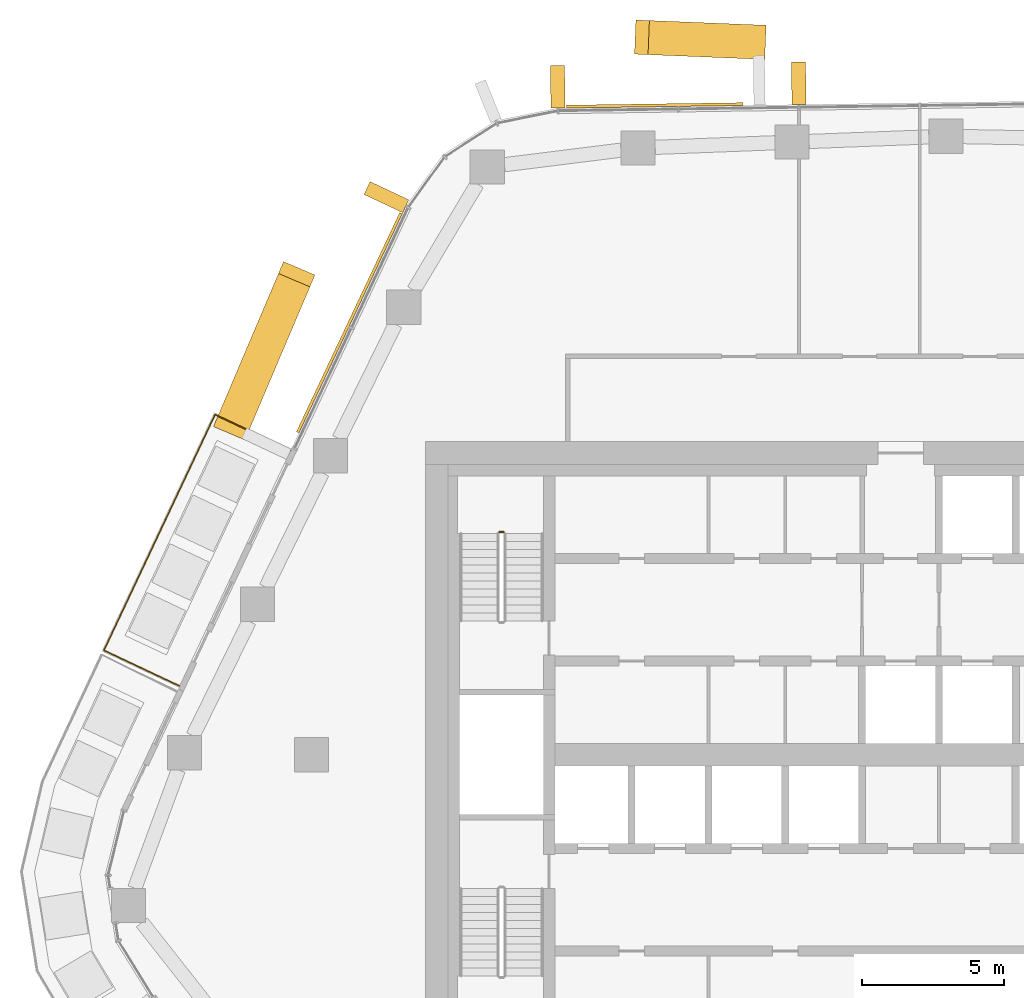
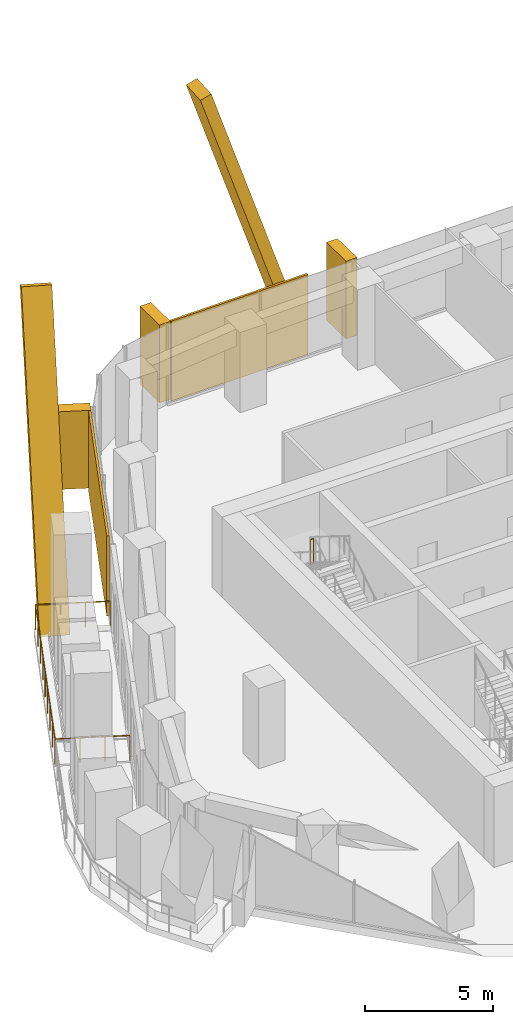
# One storey, part 17 of 18: 7 coverings, 2 railings, 2 elements without a shape of their own.
"""IFC4 building model written with IfcOpenShell, lengths in metres."""

from ifc_helpers import new_model, si_unit, direction, frame, origin, origin_2d, place, context, subcontext, project, spatial, rectangle, circle, extrude, material, layer, layer_set, material_profile, profile_set, type_object, element, aggregate, save


model = new_model("IFC4")

# Units and contexts
model_context = context("Model", 3, precision=1e-05, world=origin(), true_north=direction((0.0, 1.0)))
body_context = subcontext(model_context, "Body", "Model", "MODEL_VIEW")
ifc_project = project(units=[si_unit("LENGTHUNIT", "METRE"), si_unit("AREAUNIT", "SQUARE_METRE"), si_unit("VOLUMEUNIT", "CUBIC_METRE"), si_unit("PLANEANGLEUNIT", "RADIAN"), si_unit("MASSUNIT", "GRAM", prefix="KILO")], contexts=[model_context])

# Site, building, storey
site_placement = place(None, origin())
site = spatial("IfcSite", under=ifc_project, at=site_placement, CompositionType="ELEMENT")
building_placement = place(site_placement, origin())
building = spatial("IfcBuilding", under=site, at=building_placement, Name="Dongbaek Canopy Tower", CompositionType="ELEMENT")
storey_placement = place(building_placement, frame((0.0, 0.0, 167.0)))
storey = spatial("IfcBuildingStorey", under=building, at=storey_placement, Name="L36", CompositionType="ELEMENT", Elevation=167.0)

# Railing
ifc_material_1 = material(Name="Stainless steel", Category="steel")
railing_type_1 = type_object("IfcRailingType", Name="Balcony balustrade 1200", PredefinedType="BALUSTRADE", material=ifc_material_1)
railing_1_placement = place(storey_placement, frame((-18.732666015625, 10.700439453125, 0.0)))
element("IfcRailing", 1, at=railing_1_placement, inside=storey, type_object=railing_type_1, Name="Balcony guard L36 1", PredefinedType="BALUSTRADE", context=body_context, shape_type="SweptSolid", body=[
    extrude(circle(Radius=0.02392578125, at=origin_2d()), frame((0.0, 0.0, 1.17578125), z_axis=(-0.90463040543, 0.426196937544, 0.0), x_axis=(-0.426196937544, -0.90463040543, 0.0)), (0.0, 0.0, 1.0), 2.939697265625),
    extrude(circle(Radius=0.02392578125, at=origin_2d()), frame((-2.659423828125, 1.2529296875, 1.17578125), z_axis=(-0.426229519142, -0.904615054602, 0.0), x_axis=(0.904615054602, -0.426229519142, 0.0)), (0.0, 0.0, 1.0), 9.16064453125),
    extrude(circle(Radius=0.02392578125, at=origin_2d()), frame((-6.56396484375, -7.033935546875, 1.17578125), z_axis=(0.904613472743, -0.426232876408, 0.0), x_axis=(0.426232876408, 0.904613472743, 0.0)), (0.0, 0.0, 1.0), 2.940185546875),
    extrude(circle(Radius=0.02099609375, at=origin_2d()), origin(), (0.0, 0.0, 1.0), 1.15185546875),
    extrude(circle(Radius=0.02099609375, at=origin_2d()), frame((-0.886474609375, 0.417724609375, 0.0)), (0.0, 0.0, 1.0), 1.15185546875),
    extrude(circle(Radius=0.02099609375, at=origin_2d()), frame((-1.77294921875, 0.835205078125, 0.0)), (0.0, 0.0, 1.0), 1.15185546875),
    extrude(circle(Radius=0.02099609375, at=origin_2d()), frame((-2.659423828125, 1.2529296875, 0.0)), (0.0, 0.0, 1.0), 1.15185546875),
    extrude(circle(Radius=0.02099609375, at=origin_2d()), frame((-3.1474609375, 0.217041015625, 0.0)), (0.0, 0.0, 1.0), 1.15185546875),
    extrude(circle(Radius=0.02099609375, at=origin_2d()), frame((-3.635498046875, -0.81884765625, 0.0)), (0.0, 0.0, 1.0), 1.15185546875),
    extrude(circle(Radius=0.02099609375, at=origin_2d()), frame((-4.12353515625, -1.854736328125, 0.0)), (0.0, 0.0, 1.0), 1.15185546875),
    extrude(circle(Radius=0.02099609375, at=origin_2d()), frame((-4.61181640625, -2.890625, 0.0)), (0.0, 0.0, 1.0), 1.15185546875),
    extrude(circle(Radius=0.02099609375, at=origin_2d()), frame((-5.099853515625, -3.92626953125, 0.0)), (0.0, 0.0, 1.0), 1.15185546875),
    extrude(circle(Radius=0.02099609375, at=origin_2d()), frame((-5.587890625, -4.962158203125, 0.0)), (0.0, 0.0, 1.0), 1.15185546875),
    extrude(circle(Radius=0.02099609375, at=origin_2d()), frame((-6.075927734375, -5.998046875, 0.0)), (0.0, 0.0, 1.0), 1.15185546875),
    extrude(circle(Radius=0.02099609375, at=origin_2d()), frame((-6.56396484375, -7.033935546875, 0.0)), (0.0, 0.0, 1.0), 1.15185546875),
    extrude(circle(Radius=0.02099609375, at=origin_2d()), frame((-5.677490234375, -7.45166015625, 0.0)), (0.0, 0.0, 1.0), 1.15185546875),
    extrude(circle(Radius=0.02099609375, at=origin_2d()), frame((-4.790771484375, -7.869384765625, 0.0)), (0.0, 0.0, 1.0), 1.15185546875),
    extrude(circle(Radius=0.02099609375, at=origin_2d()), frame((-3.904296875, -8.287109375, 0.0)), (0.0, 0.0, 1.0), 1.15185546875),
])

# Curtain wall, covering
ifc_material_2 = material(Name="Aluminium 6063-T6 pale anodised", Category="aluminium")
ifc_layer_1 = layer(ifc_material_2, 0.199951171875)
ifc_layer_set_1 = layer_set([ifc_layer_1], Name="CW-1 unitised tower curtain wall")
curtain_wall_type = type_object("IfcCurtainWallType", Name="CW-1 unitised tower curtain wall", PredefinedType="NOTDEFINED", material=ifc_layer_set_1)
curtain_wall_1_placement = place(storey_placement, origin())
curtain_wall_1 = element("IfcCurtainWall", 2, at=curtain_wall_1_placement, inside=storey, type_object=curtain_wall_type, Name="CW-1 curtain wall F1.1", PredefinedType="NOTDEFINED")
ifc_material_3 = material(Name="Aluminium 6063-T6 pale metal fin", Category="aluminium")
ifc_material_profile_1 = material_profile(ifc_material_3, rectangle(XDim=1.199951171875, YDim=0.5, at=origin_2d()), Name="Crease fin CF1 500 x 1200 pale metal")
ifc_profile_set_1 = profile_set([ifc_material_profile_1], Name="Aluminium 6063-T6 pale metal fin")
covering_type_1 = type_object("IfcCoveringType", Name="Crease fin CF1 500 x 1200 pale metal", PredefinedType="CLADDING", material=ifc_profile_set_1)
covering_1_placement = place(storey_placement, frame((-2.284912109375, 25.04736328125, -0.18994140625), z_axis=(-0.309579715114, 0.012490778794, 0.950791449496), x_axis=(-0.040314734989, -0.999187030612, 0.0)))
covering_1 = element("IfcCovering", 3, at=covering_1_placement, type_object=covering_type_1, Name="Crease fin L36 L39 F1", PredefinedType="CLADDING", context=body_context, shape_type="SweptSolid", body=[
    extrude(rectangle(XDim=1.199951171875, YDim=0.5, at=origin_2d()), origin(), (0.0, 0.0, 1.0), 13.251953125),
])

curtain_wall_2_placement = place(storey_placement, origin())
curtain_wall_2 = element("IfcCurtainWall", 4, at=curtain_wall_2_placement, inside=storey, type_object=curtain_wall_type, Name="CW-1 curtain wall F2.1", PredefinedType="NOTDEFINED")
covering_2_placement = place(storey_placement, frame((-20.806640625, 11.505859375, -0.18994140625), z_axis=(0.164570598664, 0.387372789058, 0.907115670878), x_axis=(-0.920384653832, 0.391014180037, 0.0)))
covering_2 = element("IfcCovering", 5, at=covering_2_placement, type_object=covering_type_1, Name="Crease fin L36 L39 F2", PredefinedType="CLADDING", context=body_context, shape_type="SweptSolid", body=[
    extrude(rectangle(XDim=1.199951171875, YDim=0.5, at=origin_2d()), origin(), (0.0, 0.0, 1.0), 13.89013671875),
])

# Covering
ifc_material_4 = material(Name="Perforated aluminium 6063-T6 pale metal screen", Category="aluminium")
ifc_layer_2 = layer(ifc_material_4, 0.10009765625)
ifc_layer_set_2 = layer_set([ifc_layer_2], Name="Facet screen FS1 100 pale metal")
covering_type_2 = type_object("IfcCoveringType", Name="Facet screen FS1 100 pale metal", PredefinedType="CLADDING", material=ifc_layer_set_2)
covering_3_placement = place(storey_placement, frame((-5.94384765625, 22.822509765625, 0.0), z_axis=(0.0, 0.0, 1.0), x_axis=(-0.999898063399, -0.014278053439, 0.0)))
covering_3 = element("IfcCovering", 6, at=covering_3_placement, type_object=covering_type_2, Name="Facet screen L36 F1", PredefinedType="CLADDING", context=body_context, shape_type="SweptSolid", body=[
    extrude(rectangle(XDim=6.206787109375, YDim=0.10009765625, at=origin_2d()), origin(), (0.0, 0.0, 1.0), 3.820068359375),
])

covering_4_placement = place(storey_placement, frame((-16.671875, 15.182373046875, 0.0), z_axis=(0.0, 0.0, 1.0), x_axis=(-0.426207212847, -0.904625564373, 0.0)))
covering_4 = element("IfcCovering", 7, at=covering_4_placement, type_object=covering_type_2, Name="Facet screen L36 F2", PredefinedType="CLADDING", context=body_context, shape_type="SweptSolid", body=[
    extrude(rectangle(XDim=8.516845703125, YDim=0.10009765625, at=origin_2d()), origin(), (0.0, 0.0, 1.0), 3.820068359375),
])

ifc_material_5 = material(Name="Aluminium 6063-T6 pale metal fin", Category="aluminium")
ifc_material_profile_2 = material_profile(ifc_material_5, rectangle(XDim=1.5, YDim=0.5, at=origin_2d()), Name="Fin FN1 500 x 1500 pale metal")
ifc_profile_set_2 = profile_set([ifc_material_profile_2], Name="Aluminium 6063-T6 pale metal fin")
covering_type_3 = type_object("IfcCoveringType", Name="Fin FN1 500 x 1500 pale metal", PredefinedType="CLADDING", material=ifc_profile_set_2)
covering_5_placement = place(storey_placement, frame((-0.876708984375, 23.598876953125, 0.1201171875), z_axis=(0.0, 0.0, 1.0), x_axis=(-0.014277328293, 0.999898073754, 0.0)))
covering_5 = element("IfcCovering", 8, at=covering_5_placement, type_object=covering_type_3, Name="Fin F1.1.3", PredefinedType="CLADDING", context=body_context, shape_type="SweptSolid", body=[
    extrude(rectangle(XDim=1.5, YDim=0.5, at=origin_2d()), origin(), (0.0, 0.0, 1.0), 3.699951171875),
])

covering_6_placement = place(storey_placement, frame((-9.346923828125, 23.47802734375, 0.1201171875), z_axis=(0.0, 0.0, 1.0), x_axis=(-0.014277328293, 0.999898073754, 0.0)))
covering_6 = element("IfcCovering", 9, at=covering_6_placement, type_object=covering_type_3, Name="Fin F1.1.5", PredefinedType="CLADDING", context=body_context, shape_type="SweptSolid", body=[
    extrude(rectangle(XDim=1.5, YDim=0.5, at=origin_2d()), origin(), (0.0, 0.0, 1.0), 3.699951171875),
])

aggregate(curtain_wall_1, [covering_5, covering_6, covering_1, covering_3])

covering_7_placement = place(storey_placement, frame((-15.3701171875, 19.596923828125, 0.1201171875), z_axis=(0.0, 0.0, 1.0), x_axis=(-0.904625717834, 0.426206887126, 0.0)))
covering_7 = element("IfcCovering", 10, at=covering_7_placement, type_object=covering_type_3, Name="Fin F2.1.1", PredefinedType="CLADDING", context=body_context, shape_type="SweptSolid", body=[
    extrude(rectangle(XDim=1.5, YDim=0.5, at=origin_2d()), origin(), (0.0, 0.0, 1.0), 3.699951171875),
])

aggregate(curtain_wall_2, [covering_7, covering_2, covering_4])

# Railing
ifc_material_6 = material(Name="Stainless steel tube and balusters", Category="steel")
railing_type_2 = type_object("IfcRailingType", Name="Stair guard 1200", PredefinedType="GUARDRAIL", material=ifc_material_6)
railing_2_placement = place(storey_placement, frame((-11.25, 7.830078125, 2.10009765625)))
element("IfcRailing", 11, at=railing_2_placement, inside=storey, type_object=railing_type_2, Name="L36 ST-C stair guard 2", PredefinedType="GUARDRAIL", context=body_context, shape_type="SweptSolid", body=[
    extrude(circle(Radius=0.02392578125, at=origin_2d()), frame((0.0, 0.0, 1.17578125), z_axis=(-1.0, 0.0, 0.0), x_axis=(0.0, -1.0, 0.0)), (0.0, 0.0, 1.0), 0.14990234375),
    extrude(circle(Radius=0.02099609375, at=origin_2d()), origin(), (0.0, 0.0, 1.0), 1.15185546875),
    extrude(circle(Radius=0.02099609375, at=origin_2d()), frame((-0.14990234375, 0.0, 0.0)), (0.0, 0.0, 1.0), 1.15185546875),
])

save(model, "model.ifc")
